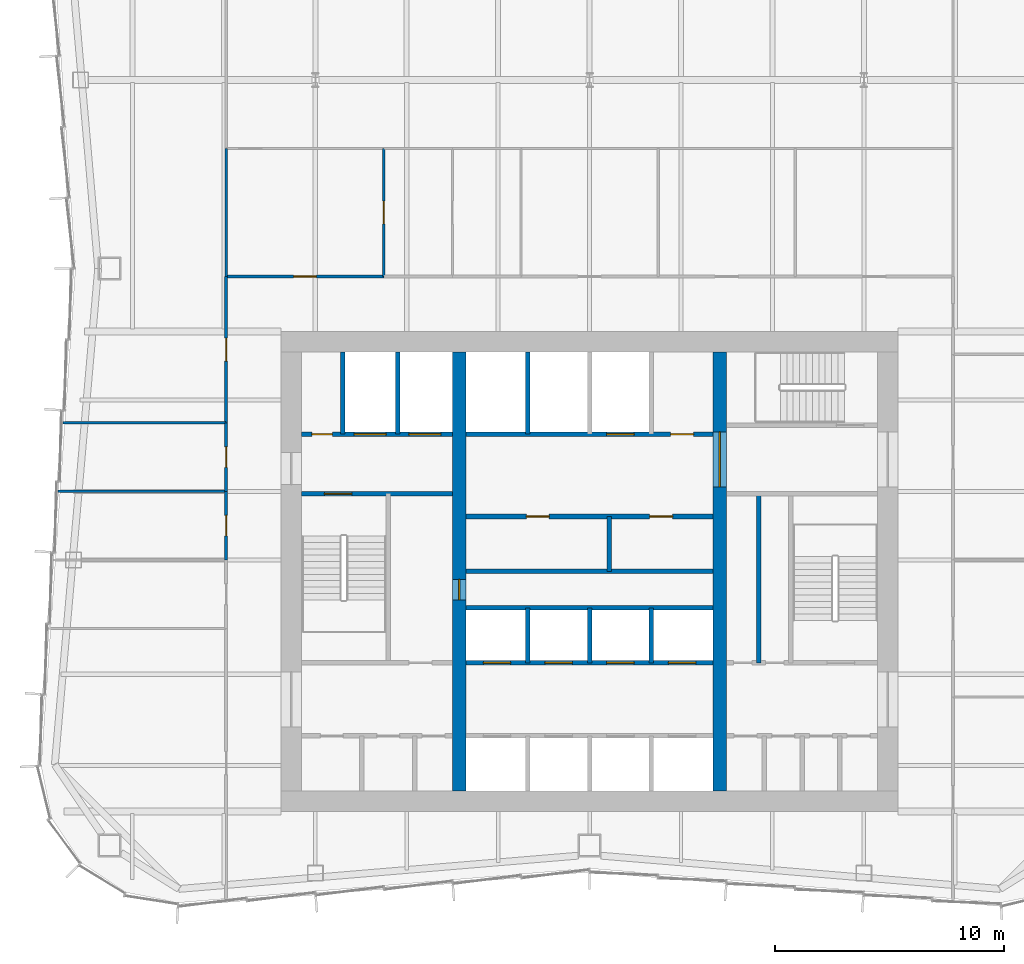
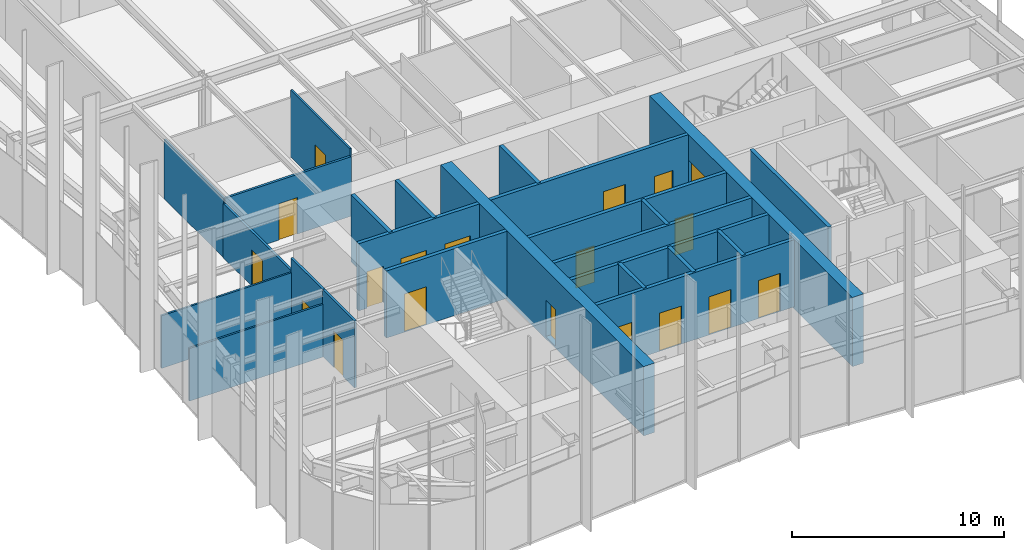
# One storey, part 10 of 13: 25 walls, 19 doors, 19 openings.
"""IFC4 building model written with IfcOpenShell, lengths in metres."""

from ifc_helpers import new_model, si_unit, direction, frame, frame_2d, origin, place, context, subcontext, project, spatial, rectangle, extrude, material, layer, layer_set, type_object, element, fill, save


model = new_model("IFC4")

# Units and contexts
model_context = context("Model", 3, precision=1e-05, world=origin(), true_north=direction((0.0, 1.0)))
body_context = subcontext(model_context, "Body", "Model", "MODEL_VIEW")
ifc_project = project(units=[si_unit("LENGTHUNIT", "METRE"), si_unit("AREAUNIT", "SQUARE_METRE"), si_unit("VOLUMEUNIT", "CUBIC_METRE"), si_unit("PLANEANGLEUNIT", "RADIAN"), si_unit("MASSUNIT", "GRAM", prefix="KILO")], contexts=[model_context])

# Site, building, storey
site_placement = place(None, origin())
site = spatial("IfcSite", under=ifc_project, at=site_placement, CompositionType="ELEMENT")
building_placement = place(site_placement, origin())
building = spatial("IfcBuilding", under=site, at=building_placement, Name="Verdant Reach Tower", CompositionType="ELEMENT")
storey_placement = place(building_placement, frame((0.0, 0.0, 194.0)))
storey = spatial("IfcBuildingStorey", under=building, at=storey_placement, Name="L44", CompositionType="ELEMENT", Elevation=194.0)

# Wall
ifc_material_1 = material(Name="Gypsum board on steel studs", Category="steel")
ifc_layer_1 = layer(ifc_material_1, 0.199951171875)
ifc_layer_set_1 = layer_set([ifc_layer_1], Name="CO-WALL-ROOM")
wall_type_1 = type_object("IfcWallType", Name="CO-WALL-ROOM", PredefinedType="PARTITIONING", material=ifc_layer_set_1)
wall_1_placement = place(storey_placement, frame((-5.39990234375, 28.0, 0.0), z_axis=(0.0, 0.0, 1.0), x_axis=(1.0, 0.0, 0.0)))
element("IfcWall", 1, at=wall_1_placement, inside=storey, type_object=wall_type_1, Name="Core partition, L44", PredefinedType="PARTITIONING", context=body_context, shape_type="SweptSolid", body=[
    extrude(rectangle(XDim=10.7998046875, YDim=0.199951171875, at=frame_2d((5.39990234375, 0.0))), origin(), (0.0, 0.0, 1.0), 3.8701171875),
])

# Wall, openings, doors
wall_2_placement = place(storey_placement, frame((-5.39990234375, 30.39990234375, 0.0), z_axis=(0.0, 0.0, 1.0), x_axis=(1.0, 0.0, 0.0)))
wall_2 = element("IfcWall", 2, at=wall_2_placement, inside=storey, type_object=wall_type_1, Name="Core partition, L44", PredefinedType="PARTITIONING", context=body_context, shape_type="SweptSolid", body=[
    extrude(rectangle(XDim=10.7998046875, YDim=0.199951171875, at=frame_2d((5.39990234375, 0.0))), origin(), (0.0, 0.0, 1.0), 3.8701171875),
])
opening_1_placement = place(wall_2_placement, frame((2.632080078125, 0.0, 0.0)))
opening_1 = element("IfcOpeningElement", 3, at=opening_1_placement, cuts=wall_2, Name="Opening CD", PredefinedType="OPENING", context=body_context, shape_type="SweptSolid", body=[
    extrude(rectangle(XDim=1.0, YDim=2.10009765625, at=frame_2d((0.5, 1.050048828125))), frame((0.0, 0.10986328125, 0.0), z_axis=(0.0, -1.0, 0.0), x_axis=(1.0, 0.0, 0.0)), (0.0, 0.0, 1.0), 0.219970703125),
])
opening_2_placement = place(wall_2_placement, frame((8.031982421875, 0.0, 0.0)))
opening_2 = element("IfcOpeningElement", 4, at=opening_2_placement, cuts=wall_2, Name="Opening CD", PredefinedType="OPENING", context=body_context, shape_type="SweptSolid", body=[
    extrude(rectangle(XDim=1.0, YDim=2.10009765625, at=frame_2d((0.5, 1.050048828125))), frame((0.0, 0.10986328125, 0.0), z_axis=(0.0, -1.0, 0.0), x_axis=(1.0, 0.0, 0.0)), (0.0, 0.0, 1.0), 0.219970703125),
])
ifc_material_2 = material(Name="Timber", Category="wood")
door_type_1 = type_object("IfcDoorType", Name="CO-DOOR-ROOM", OperationType="NOTDEFINED", PredefinedType="DOOR", material=ifc_material_2)
door_1_placement = place(opening_1_placement, origin())
door_1 = element("IfcDoor", 5, at=door_1_placement, inside=storey, type_object=door_type_1, Name="Core room door, L44", OperationType="SINGLE_SWING_LEFT", OverallHeight=2.10009765625, OverallWidth=1.0, PredefinedType="DOOR", context=body_context, shape_type="SweptSolid", body=[
    extrude(rectangle(XDim=1.0, YDim=2.10009765625, at=frame_2d((0.5, 1.050048828125))), frame((0.0, 0.02490234375, 0.0), z_axis=(0.0, -1.0, 0.0), x_axis=(1.0, 0.0, 0.0)), (0.0, 0.0, 1.0), 0.050048828125),
])
fill(opening_1, door_1)
door_2_placement = place(opening_2_placement, origin())
door_2 = element("IfcDoor", 6, at=door_2_placement, inside=storey, type_object=door_type_1, Name="Core room door, L44", OperationType="SINGLE_SWING_RIGHT", OverallHeight=2.10009765625, OverallWidth=1.0, PredefinedType="DOOR", context=body_context, shape_type="SweptSolid", body=[
    extrude(rectangle(XDim=1.0, YDim=2.10009765625, at=frame_2d((0.5, 1.050048828125))), frame((0.0, 0.02490234375, 0.0), z_axis=(0.0, -1.0, 0.0), x_axis=(1.0, 0.0, 0.0)), (0.0, 0.0, 1.0), 0.050048828125),
])
fill(opening_2, door_2)

# Walls
wall_3_placement = place(storey_placement, frame((0.864013671875, 28.0, 0.0), z_axis=(0.0, 0.0, 1.0), x_axis=(0.0, 1.0, 0.0)))
element("IfcWall", 7, at=wall_3_placement, inside=storey, type_object=wall_type_1, Name="Core partition, L44", PredefinedType="PARTITIONING", context=body_context, shape_type="SweptSolid", body=[
    extrude(rectangle(XDim=2.39990234375, YDim=0.199951171875, at=frame_2d((1.199951171875, 0.0))), origin(), (0.0, 0.0, 1.0), 3.8701171875),
])
wall_4_placement = place(storey_placement, frame((7.39990234375, 24.0, 0.0), z_axis=(0.0, 0.0, 1.0), x_axis=(0.0, 1.0, 0.0)))
element("IfcWall", 8, at=wall_4_placement, inside=storey, type_object=wall_type_1, Name="Core partition, L44", PredefinedType="PARTITIONING", context=body_context, shape_type="SweptSolid", body=[
    extrude(rectangle(XDim=7.39990234375, YDim=0.199951171875, at=frame_2d((3.699951171875, 0.0))), origin(), (0.0, 0.0, 1.0), 3.8701171875),
])

# Wall, openings, doors
ifc_material_3 = material(Name="Concrete C40/50", Category="concrete")
ifc_layer_2 = layer(ifc_material_3, 0.199951171875)
ifc_layer_set_2 = layer_set([ifc_layer_2], Name="CO-WALL-SHAFT")
wall_type_2 = type_object("IfcWallType", Name="CO-WALL-SHAFT", PredefinedType="PARTITIONING", material=ifc_layer_set_2)
wall_5_placement = place(storey_placement, frame((-5.39990234375, 24.0, 0.0), z_axis=(0.0, 0.0, 1.0), x_axis=(1.0, 0.0, 0.0)))
wall_5 = element("IfcWall", 9, at=wall_5_placement, inside=storey, type_object=wall_type_2, Name="Lift shaft wall, L44", PredefinedType="PARTITIONING", context=body_context, shape_type="SweptSolid", body=[
    extrude(rectangle(XDim=10.7998046875, YDim=0.199951171875, at=frame_2d((5.39990234375, 0.0))), origin(), (0.0, 0.0, 1.0), 3.8701171875),
])
opening_3_placement = place(wall_5_placement, frame((0.75, 0.0, 0.0)))
opening_3 = element("IfcOpeningElement", 10, at=opening_3_placement, cuts=wall_5, Name="Opening LD-A5", PredefinedType="OPENING", context=body_context, shape_type="SweptSolid", body=[
    extrude(rectangle(XDim=1.199951171875, YDim=2.199951171875, at=frame_2d((0.60009765625, 1.10009765625))), frame((0.0, 0.10986328125, 0.0), z_axis=(0.0, -1.0, 0.0), x_axis=(1.0, 0.0, 0.0)), (0.0, 0.0, 1.0), 0.219970703125),
])
opening_4_placement = place(wall_5_placement, frame((3.449951171875, 0.0, 0.0)))
opening_4 = element("IfcOpeningElement", 11, at=opening_4_placement, cuts=wall_5, Name="Opening LD-A6", PredefinedType="OPENING", context=body_context, shape_type="SweptSolid", body=[
    extrude(rectangle(XDim=1.199951171875, YDim=2.199951171875, at=frame_2d((0.60009765625, 1.10009765625))), frame((0.0, 0.10986328125, 0.0), z_axis=(0.0, -1.0, 0.0), x_axis=(1.0, 0.0, 0.0)), (0.0, 0.0, 1.0), 0.219970703125),
])
opening_5_placement = place(wall_5_placement, frame((6.14990234375, 0.0, 0.0)))
opening_5 = element("IfcOpeningElement", 12, at=opening_5_placement, cuts=wall_5, Name="Opening LD-A7", PredefinedType="OPENING", context=body_context, shape_type="SweptSolid", body=[
    extrude(rectangle(XDim=1.199951171875, YDim=2.199951171875, at=frame_2d((0.60009765625, 1.10009765625))), frame((0.0, 0.10986328125, 0.0), z_axis=(0.0, -1.0, 0.0), x_axis=(1.0, 0.0, 0.0)), (0.0, 0.0, 1.0), 0.219970703125),
])
opening_6_placement = place(wall_5_placement, frame((8.85009765625, 0.0, 0.0)))
opening_6 = element("IfcOpeningElement", 13, at=opening_6_placement, cuts=wall_5, Name="Opening LD-A8", PredefinedType="OPENING", context=body_context, shape_type="SweptSolid", body=[
    extrude(rectangle(XDim=1.199951171875, YDim=2.199951171875, at=frame_2d((0.60009765625, 1.10009765625))), frame((0.0, 0.10986328125, 0.0), z_axis=(0.0, -1.0, 0.0), x_axis=(1.0, 0.0, 0.0)), (0.0, 0.0, 1.0), 0.219970703125),
])
ifc_material_4 = material(Name="Stainless steel", Category="steel")
door_type_2 = type_object("IfcDoorType", Name="CO-DOOR-LANDING", OperationType="SLIDING_TO_LEFT", PredefinedType="DOOR", material=ifc_material_4)
door_3_placement = place(opening_3_placement, origin())
door_3 = element("IfcDoor", 14, at=door_3_placement, inside=storey, type_object=door_type_2, Name="Landing door A5, L44", OperationType="SLIDING_TO_LEFT", OverallHeight=2.199951171875, OverallWidth=1.199951171875, PredefinedType="DOOR", context=body_context, shape_type="SweptSolid", body=[
    extrude(rectangle(XDim=1.199951171875, YDim=2.199951171875, at=frame_2d((0.60009765625, 1.10009765625))), frame((0.0, 0.02490234375, 0.0), z_axis=(0.0, -1.0, 0.0), x_axis=(1.0, 0.0, 0.0)), (0.0, 0.0, 1.0), 0.050048828125),
])
fill(opening_3, door_3)
door_4_placement = place(opening_4_placement, origin())
door_4 = element("IfcDoor", 15, at=door_4_placement, inside=storey, type_object=door_type_2, Name="Landing door A6, L44", OperationType="SLIDING_TO_LEFT", OverallHeight=2.199951171875, OverallWidth=1.199951171875, PredefinedType="DOOR", context=body_context, shape_type="SweptSolid", body=[
    extrude(rectangle(XDim=1.199951171875, YDim=2.199951171875, at=frame_2d((0.60009765625, 1.10009765625))), frame((0.0, 0.02490234375, 0.0), z_axis=(0.0, -1.0, 0.0), x_axis=(1.0, 0.0, 0.0)), (0.0, 0.0, 1.0), 0.050048828125),
])
fill(opening_4, door_4)
door_5_placement = place(opening_5_placement, origin())
door_5 = element("IfcDoor", 16, at=door_5_placement, inside=storey, type_object=door_type_2, Name="Landing door A7, L44", OperationType="SLIDING_TO_LEFT", OverallHeight=2.199951171875, OverallWidth=1.199951171875, PredefinedType="DOOR", context=body_context, shape_type="SweptSolid", body=[
    extrude(rectangle(XDim=1.199951171875, YDim=2.199951171875, at=frame_2d((0.60009765625, 1.10009765625))), frame((0.0, 0.02490234375, 0.0), z_axis=(0.0, -1.0, 0.0), x_axis=(1.0, 0.0, 0.0)), (0.0, 0.0, 1.0), 0.050048828125),
])
fill(opening_5, door_5)
door_6_placement = place(opening_6_placement, origin())
door_6 = element("IfcDoor", 17, at=door_6_placement, inside=storey, type_object=door_type_2, Name="Landing door A8, L44", OperationType="SLIDING_TO_LEFT", OverallHeight=2.199951171875, OverallWidth=1.199951171875, PredefinedType="DOOR", context=body_context, shape_type="SweptSolid", body=[
    extrude(rectangle(XDim=1.199951171875, YDim=2.199951171875, at=frame_2d((0.60009765625, 1.10009765625))), frame((0.0, 0.02490234375, 0.0), z_axis=(0.0, -1.0, 0.0), x_axis=(1.0, 0.0, 0.0)), (0.0, 0.0, 1.0), 0.050048828125),
])
fill(opening_6, door_6)

# Wall
wall_6_placement = place(storey_placement, frame((-5.39990234375, 26.39990234375, 0.0), z_axis=(0.0, 0.0, 1.0), x_axis=(1.0, 0.0, 0.0)))
element("IfcWall", 18, at=wall_6_placement, inside=storey, type_object=wall_type_2, Name="Lift shaft wall, L44", PredefinedType="PARTITIONING", context=body_context, shape_type="SweptSolid", body=[
    extrude(rectangle(XDim=10.7998046875, YDim=0.199951171875, at=frame_2d((5.39990234375, 0.0))), origin(), (0.0, 0.0, 1.0), 3.8701171875),
])

# Wall, openings, doors
wall_7_placement = place(storey_placement, frame((-12.60009765625, 34.0, 0.0), z_axis=(0.0, 0.0, 1.0), x_axis=(1.0, 0.0, 0.0)))
wall_7 = element("IfcWall", 19, at=wall_7_placement, inside=storey, type_object=wall_type_2, Name="Lift shaft wall, L44", PredefinedType="PARTITIONING", context=body_context, shape_type="SweptSolid", body=[
    extrude(rectangle(XDim=6.60009765625, YDim=0.199951171875, at=frame_2d((3.300048828125, 0.0))), origin(), (0.0, 0.0, 1.0), 3.8701171875),
])
opening_7_placement = place(wall_7_placement, frame((4.699951171875, 0.0, 0.0)))
opening_7 = element("IfcOpeningElement", 20, at=opening_7_placement, cuts=wall_7, Name="Opening LD-F1", PredefinedType="OPENING", context=body_context, shape_type="SweptSolid", body=[
    extrude(rectangle(XDim=1.39990234375, YDim=2.199951171875, at=frame_2d((0.699951171875, 1.10009765625))), frame((0.0, 0.10986328125, 0.0), z_axis=(0.0, -1.0, 0.0), x_axis=(1.0, 0.0, 0.0)), (0.0, 0.0, 1.0), 0.219970703125),
])
opening_8_placement = place(wall_7_placement, frame((2.300048828125, 0.0, 0.0)))
opening_8 = element("IfcOpeningElement", 21, at=opening_8_placement, cuts=wall_7, Name="Opening LD-F2", PredefinedType="OPENING", context=body_context, shape_type="SweptSolid", body=[
    extrude(rectangle(XDim=1.39990234375, YDim=2.199951171875, at=frame_2d((0.699951171875, 1.10009765625))), frame((0.0, 0.10986328125, 0.0), z_axis=(0.0, -1.0, 0.0), x_axis=(1.0, 0.0, 0.0)), (0.0, 0.0, 1.0), 0.219970703125),
])
opening_9_placement = place(wall_7_placement, frame((0.449951171875, 0.0, 0.0)))
opening_9 = element("IfcOpeningElement", 22, at=opening_9_placement, cuts=wall_7, Name="Opening RD", PredefinedType="OPENING", context=body_context, shape_type="SweptSolid", body=[
    extrude(rectangle(XDim=0.89990234375, YDim=2.10009765625, at=frame_2d((0.449951171875, 1.050048828125))), frame((0.0, 0.10986328125, 0.0), z_axis=(0.0, -1.0, 0.0), x_axis=(1.0, 0.0, 0.0)), (0.0, 0.0, 1.0), 0.219970703125),
])
door_type_3 = type_object("IfcDoorType", Name="CO-DOOR-LANDING-FF", OperationType="SLIDING_TO_LEFT", PredefinedType="DOOR", material=ifc_material_4)
door_7_placement = place(opening_7_placement, origin())
door_7 = element("IfcDoor", 23, at=door_7_placement, inside=storey, type_object=door_type_3, Name="Landing door F1, L44", OperationType="SLIDING_TO_LEFT", OverallHeight=2.199951171875, OverallWidth=1.39990234375, PredefinedType="DOOR", context=body_context, shape_type="SweptSolid", body=[
    extrude(rectangle(XDim=1.39990234375, YDim=2.199951171875, at=frame_2d((0.699951171875, 1.10009765625))), frame((0.0, 0.02490234375, 0.0), z_axis=(0.0, -1.0, 0.0), x_axis=(1.0, 0.0, 0.0)), (0.0, 0.0, 1.0), 0.050048828125),
])
fill(opening_7, door_7)
door_8_placement = place(opening_8_placement, origin())
door_8 = element("IfcDoor", 24, at=door_8_placement, inside=storey, type_object=door_type_3, Name="Landing door F2, L44", OperationType="SLIDING_TO_LEFT", OverallHeight=2.199951171875, OverallWidth=1.39990234375, PredefinedType="DOOR", context=body_context, shape_type="SweptSolid", body=[
    extrude(rectangle(XDim=1.39990234375, YDim=2.199951171875, at=frame_2d((0.699951171875, 1.10009765625))), frame((0.0, 0.02490234375, 0.0), z_axis=(0.0, -1.0, 0.0), x_axis=(1.0, 0.0, 0.0)), (0.0, 0.0, 1.0), 0.050048828125),
])
fill(opening_8, door_8)
ifc_material_5 = material(Name="Steel", Category="steel")
door_type_4 = type_object("IfcDoorType", Name="CO-DOOR-RISER", OperationType="NOTDEFINED", PredefinedType="DOOR", material=ifc_material_5)
door_9_placement = place(opening_9_placement, origin())
door_9 = element("IfcDoor", 25, at=door_9_placement, inside=storey, type_object=door_type_4, Name="Core room door, L44", OperationType="SINGLE_SWING_RIGHT", OverallHeight=2.10009765625, OverallWidth=0.89990234375, PredefinedType="DOOR", context=body_context, shape_type="SweptSolid", body=[
    extrude(rectangle(XDim=0.89990234375, YDim=2.10009765625, at=frame_2d((0.449951171875, 1.050048828125))), frame((0.0, 0.02490234375, 0.0), z_axis=(0.0, -1.0, 0.0), x_axis=(1.0, 0.0, 0.0)), (0.0, 0.0, 1.0), 0.050048828125),
])
fill(opening_9, door_9)

wall_8_placement = place(storey_placement, frame((-5.39990234375, 34.0, 0.0), z_axis=(0.0, 0.0, 1.0), x_axis=(1.0, 0.0, 0.0)))
wall_8 = element("IfcWall", 26, at=wall_8_placement, inside=storey, type_object=wall_type_2, Name="Lift shaft wall, L44", PredefinedType="PARTITIONING", context=body_context, shape_type="SweptSolid", body=[
    extrude(rectangle(XDim=10.7998046875, YDim=0.199951171875, at=frame_2d((5.39990234375, 0.0))), origin(), (0.0, 0.0, 1.0), 3.8701171875),
])
opening_10_placement = place(wall_8_placement, frame((6.14990234375, 0.0, 0.0)))
opening_10 = element("IfcOpeningElement", 27, at=opening_10_placement, cuts=wall_8, Name="Opening LD-SL1", PredefinedType="OPENING", context=body_context, shape_type="SweptSolid", body=[
    extrude(rectangle(XDim=1.199951171875, YDim=2.199951171875, at=frame_2d((0.60009765625, 1.10009765625))), frame((0.0, 0.10986328125, 0.0), z_axis=(0.0, -1.0, 0.0), x_axis=(1.0, 0.0, 0.0)), (0.0, 0.0, 1.0), 0.219970703125),
])
opening_11_placement = place(wall_8_placement, frame((8.949951171875, 0.0, 0.0)))
opening_11 = element("IfcOpeningElement", 28, at=opening_11_placement, cuts=wall_8, Name="Opening CD", PredefinedType="OPENING", context=body_context, shape_type="SweptSolid", body=[
    extrude(rectangle(XDim=1.0, YDim=2.10009765625, at=frame_2d((0.5, 1.050048828125))), frame((0.0, 0.10986328125, 0.0), z_axis=(0.0, -1.0, 0.0), x_axis=(1.0, 0.0, 0.0)), (0.0, 0.0, 1.0), 0.219970703125),
])
door_10_placement = place(opening_10_placement, origin())
door_10 = element("IfcDoor", 29, at=door_10_placement, inside=storey, type_object=door_type_2, Name="Landing door SL1, L44", OperationType="SLIDING_TO_LEFT", OverallHeight=2.199951171875, OverallWidth=1.199951171875, PredefinedType="DOOR", context=body_context, shape_type="SweptSolid", body=[
    extrude(rectangle(XDim=1.199951171875, YDim=2.199951171875, at=frame_2d((0.60009765625, 1.10009765625))), frame((0.0, 0.02490234375, 0.0), z_axis=(0.0, -1.0, 0.0), x_axis=(1.0, 0.0, 0.0)), (0.0, 0.0, 1.0), 0.050048828125),
])
fill(opening_10, door_10)
door_11_placement = place(opening_11_placement, origin())
door_11 = element("IfcDoor", 30, at=door_11_placement, inside=storey, type_object=door_type_1, Name="Core room door, L44", OperationType="SINGLE_SWING_LEFT", OverallHeight=2.10009765625, OverallWidth=1.0, PredefinedType="DOOR", context=body_context, shape_type="SweptSolid", body=[
    extrude(rectangle(XDim=1.0, YDim=2.10009765625, at=frame_2d((0.5, 1.050048828125))), frame((0.0, 0.02490234375, 0.0), z_axis=(0.0, -1.0, 0.0), x_axis=(1.0, 0.0, 0.0)), (0.0, 0.0, 1.0), 0.050048828125),
])
fill(opening_11, door_11)

# Walls
for number, where, z_axis, x_axis, name in (
    (31, (-10.800048828125, 34.0, 0.0), (0.0, 0.0, 1.0), (0.0, 1.0, 0.0), "Lift shaft wall, L44"),
    (32, (-8.39990234375, 34.0, 0.0), (0.0, 0.0, 1.0), (0.0, 1.0, 0.0), "Lift shaft wall, L44"),
):
    element("IfcWall", number, at=place(storey_placement, frame(where, z_axis=z_axis, x_axis=x_axis)), inside=storey, type_object=wall_type_2, Name=name, PredefinedType="PARTITIONING", context=body_context, shape_type="SweptSolid", body=[
        extrude(rectangle(XDim=3.60009765625, YDim=0.199951171875, at=frame_2d((1.800048828125, 0.0))), origin(), (0.0, 0.0, 1.0), 3.8701171875),
    ])
wall_9_placement = place(storey_placement, frame((-2.699951171875, 24.0, 0.0), z_axis=(0.0, 0.0, 1.0), x_axis=(0.0, 1.0, 0.0)))
element("IfcWall", 33, at=wall_9_placement, inside=storey, type_object=wall_type_2, Name="Lift shaft wall, L44", PredefinedType="PARTITIONING", context=body_context, shape_type="SweptSolid", body=[
    extrude(rectangle(XDim=2.39990234375, YDim=0.199951171875, at=frame_2d((1.199951171875, 0.0))), origin(), (0.0, 0.0, 1.0), 3.8701171875),
])
wall_10_placement = place(storey_placement, frame((-2.699951171875, 34.0, 0.0), z_axis=(0.0, 0.0, 1.0), x_axis=(0.0, 1.0, 0.0)))
element("IfcWall", 34, at=wall_10_placement, inside=storey, type_object=wall_type_2, Name="Lift shaft wall, L44", PredefinedType="PARTITIONING", context=body_context, shape_type="SweptSolid", body=[
    extrude(rectangle(XDim=3.60009765625, YDim=0.199951171875, at=frame_2d((1.800048828125, 0.0))), origin(), (0.0, 0.0, 1.0), 3.8701171875),
])
for number, where, z_axis, x_axis, name in (
    (35, (0.0, 24.0, 0.0), (0.0, 0.0, 1.0), (0.0, 1.0, 0.0), "Lift shaft wall, L44"),
    (36, (2.699951171875, 24.0, 0.0), (0.0, 0.0, 1.0), (0.0, 1.0, 0.0), "Lift shaft wall, L44"),
):
    element("IfcWall", number, at=place(storey_placement, frame(where, z_axis=z_axis, x_axis=x_axis)), inside=storey, type_object=wall_type_2, Name=name, PredefinedType="PARTITIONING", context=body_context, shape_type="SweptSolid", body=[
        extrude(rectangle(XDim=2.39990234375, YDim=0.199951171875, at=frame_2d((1.199951171875, 0.0))), origin(), (0.0, 0.0, 1.0), 3.8701171875),
    ])

# Wall, opening, door
ifc_layer_3 = layer(ifc_material_3, 0.199951171875)
ifc_layer_set_3 = layer_set([ifc_layer_3], Name="CO-WALL-STAIR")
wall_type_3 = type_object("IfcWallType", Name="CO-WALL-STAIR", PredefinedType="PARTITIONING", material=ifc_layer_set_3)
wall_11_placement = place(storey_placement, frame((-12.60009765625, 31.39990234375, 0.0), z_axis=(0.0, 0.0, 1.0), x_axis=(1.0, 0.0, 0.0)))
wall_11 = element("IfcWall", 37, at=wall_11_placement, inside=storey, type_object=wall_type_3, Name="Stair enclosure wall, L44", PredefinedType="PARTITIONING", context=body_context, shape_type="SweptSolid", body=[
    extrude(rectangle(XDim=6.60009765625, YDim=0.199951171875, at=frame_2d((3.300048828125, 0.0))), origin(), (0.0, 0.0, 1.0), 3.8701171875),
])
opening_12_placement = place(wall_11_placement, frame((1.0, 0.0, 0.0)))
opening_12 = element("IfcOpeningElement", 38, at=opening_12_placement, cuts=wall_11, Name="Opening SD", PredefinedType="OPENING", context=body_context, shape_type="SweptSolid", body=[
    extrude(rectangle(XDim=1.199951171875, YDim=2.199951171875, at=frame_2d((0.60009765625, 1.10009765625))), frame((0.0, 0.10986328125, 0.0), z_axis=(0.0, -1.0, 0.0), x_axis=(1.0, 0.0, 0.0)), (0.0, 0.0, 1.0), 0.219970703125),
])
door_type_5 = type_object("IfcDoorType", Name="CO-DOOR-STAIR", OperationType="NOTDEFINED", PredefinedType="DOOR", material=ifc_material_5)
door_12_placement = place(opening_12_placement, origin())
door_12 = element("IfcDoor", 39, at=door_12_placement, inside=storey, type_object=door_type_5, Name="Stair door, L44", OperationType="SINGLE_SWING_RIGHT", OverallHeight=2.199951171875, OverallWidth=1.199951171875, PredefinedType="DOOR", context=body_context, shape_type="SweptSolid", body=[
    extrude(rectangle(XDim=1.199951171875, YDim=2.199951171875, at=frame_2d((0.60009765625, 1.10009765625))), frame((0.0, 0.02490234375, 0.0), z_axis=(0.0, -1.0, 0.0), x_axis=(1.0, 0.0, 0.0)), (0.0, 0.0, 1.0), 0.050048828125),
])
fill(opening_12, door_12)

ifc_layer_4 = layer(ifc_material_1, 0.10009765625)
ifc_layer_set_4 = layer_set([ifc_layer_4], Name="FL-W1 Partition 100")
wall_type_4 = type_object("IfcWallType", Name="FL-W1 Partition 100", PredefinedType="PARTITIONING", material=ifc_layer_set_4)
wall_12_placement = place(storey_placement, frame((-9.0, 46.5, 0.0), z_axis=(0.0, 0.0, 1.0), x_axis=(0.0, -1.0, 0.0)))
wall_12 = element("IfcWall", 40, at=wall_12_placement, inside=storey, type_object=wall_type_4, Name="Partition 44.16", PredefinedType="PARTITIONING", context=body_context, shape_type="SweptSolid", body=[
    extrude(rectangle(XDim=5.60009765625, YDim=0.10009765625, at=frame_2d((2.800048828125, 0.0))), origin(), (0.0, 0.0, 1.0), 3.8701171875),
])
opening_13_placement = place(wall_12_placement, frame((2.300048828125, 0.0, 0.0)))
opening_13 = element("IfcOpeningElement", 41, at=opening_13_placement, cuts=wall_12, Name="Opening D3", PredefinedType="OPENING", context=body_context, shape_type="SweptSolid", body=[
    extrude(rectangle(XDim=1.0, YDim=2.10009765625, at=frame_2d((0.5, 1.050048828125))), frame((0.0, 0.06005859375, 0.0), z_axis=(0.0, -1.0, 0.0), x_axis=(1.0, 0.0, 0.0)), (0.0, 0.0, 1.0), 0.1201171875),
])
ifc_material_6 = material(Name="Painted timber door leaf", Category="wood")
door_type_6 = type_object("IfcDoorType", Name="FL-D3 Door 1000x2100", OperationType="NOTDEFINED", PredefinedType="DOOR", material=ifc_material_6)
door_13_placement = place(opening_13_placement, origin())
door_13 = element("IfcDoor", 42, at=door_13_placement, inside=storey, type_object=door_type_6, Name="Door 44-014", OperationType="SINGLE_SWING_RIGHT", OverallHeight=2.10009765625, OverallWidth=1.0, PredefinedType="DOOR", context=body_context, shape_type="SweptSolid", body=[
    extrude(rectangle(XDim=1.0, YDim=2.10009765625, at=frame_2d((0.5, 1.050048828125))), frame((0.0, 0.02490234375, 0.0), z_axis=(0.0, -1.0, 0.0), x_axis=(1.0, 0.0, 0.0)), (0.0, 0.0, 1.0), 0.050048828125),
])
fill(opening_13, door_13)

# Walls
wall_13_placement = place(storey_placement, frame((-15.89990234375, 46.50390625, 0.0), z_axis=(0.0, 0.0, 1.0), x_axis=(0.0, -1.0, 0.0)))
element("IfcWall", 43, at=wall_13_placement, inside=storey, type_object=wall_type_4, Name="Partition 44.18", PredefinedType="PARTITIONING", context=body_context, shape_type="SweptSolid", body=[
    extrude(rectangle(XDim=5.60791015625, YDim=0.10009765625, at=frame_2d((2.803955078125, 0.0))), origin(), (0.0, 0.0, 1.0), 3.43994140625),
])
wall_14_placement = place(storey_placement, frame((-15.89990234375, 31.5, 0.0), z_axis=(0.0, 0.0, 1.0), x_axis=(-1.0, 0.0, 0.0)))
element("IfcWall", 44, at=wall_14_placement, inside=storey, type_object=wall_type_4, Name="Partition 44.42", PredefinedType="PARTITIONING", context=body_context, shape_type="SweptSolid", body=[
    extrude(rectangle(XDim=7.3525390625, YDim=0.10009765625, at=frame_2d((3.67626953125, 0.0))), origin(), (0.0, 0.0, 1.0), 3.0400390625),
])
wall_15_placement = place(storey_placement, frame((-15.89990234375, 34.5, 0.0), z_axis=(0.0, 0.0, 1.0), x_axis=(-1.0, 0.0, 0.0)))
element("IfcWall", 45, at=wall_15_placement, inside=storey, type_object=wall_type_4, Name="Partition 44.43", PredefinedType="PARTITIONING", context=body_context, shape_type="SweptSolid", body=[
    extrude(rectangle(XDim=7.1455078125, YDim=0.10009765625, at=frame_2d((3.57275390625, 0.0))), origin(), (0.0, 0.0, 1.0), 3.0400390625),
])

# Wall, opening, door
ifc_material_7 = material(Name="Gypsum board on steel studs, fire rated", Category="steel")
ifc_layer_5 = layer(ifc_material_7, 0.125)
ifc_layer_set_5 = layer_set([ifc_layer_5], Name="FL-W2 Corridor wall 125")
wall_type_5 = type_object("IfcWallType", Name="FL-W2 Corridor wall 125", PredefinedType="PARTITIONING", material=ifc_layer_set_5)
wall_16_placement = place(storey_placement, frame((-15.89990234375, 40.89990234375, 0.0), z_axis=(0.0, 0.0, 1.0), x_axis=(1.0, 0.0, 0.0)))
wall_16 = element("IfcWall", 46, at=wall_16_placement, inside=storey, type_object=wall_type_5, Name="Partition 44.01", PredefinedType="PARTITIONING", context=body_context, shape_type="SweptSolid", body=[
    extrude(rectangle(XDim=6.89990234375, YDim=0.125, at=frame_2d((3.449951171875, 0.0))), origin(), (0.0, 0.0, 1.0), 3.43994140625),
])
opening_14_placement = place(wall_16_placement, frame((2.949951171875, 0.0, 0.0)))
opening_14 = element("IfcOpeningElement", 47, at=opening_14_placement, cuts=wall_16, Name="Opening D2", PredefinedType="OPENING", context=body_context, shape_type="SweptSolid", body=[
    extrude(rectangle(XDim=1.0, YDim=2.10009765625, at=frame_2d((0.5, 1.050048828125))), frame((0.0, 0.072509765625, 0.0), z_axis=(0.0, -1.0, 0.0), x_axis=(1.0, 0.0, 0.0)), (0.0, 0.0, 1.0), 0.14501953125),
])
ifc_material_8 = material(Name="Timber door leaf, fire rated", Category="wood")
door_type_7 = type_object("IfcDoorType", Name="FL-D2 Entrance door 1000x2100 FD30", OperationType="NOTDEFINED", PredefinedType="DOOR", material=ifc_material_8)
door_14_placement = place(opening_14_placement, origin())
door_14 = element("IfcDoor", 48, at=door_14_placement, inside=storey, type_object=door_type_7, Name="Door 44-001", OperationType="SINGLE_SWING_LEFT", OverallHeight=2.10009765625, OverallWidth=1.0, PredefinedType="DOOR", context=body_context, shape_type="SweptSolid", body=[
    extrude(rectangle(XDim=1.0, YDim=2.10009765625, at=frame_2d((0.5, 1.050048828125))), frame((0.0, 0.02490234375, 0.0), z_axis=(0.0, -1.0, 0.0), x_axis=(1.0, 0.0, 0.0)), (0.0, 0.0, 1.0), 0.050048828125),
])
fill(opening_14, door_14)

wall_17_placement = place(storey_placement, frame((-15.89990234375, 28.5, 0.0), z_axis=(0.0, 0.0, 1.0), x_axis=(0.0, 1.0, 0.0)))
wall_17 = element("IfcWall", 49, at=wall_17_placement, inside=storey, type_object=wall_type_5, Name="Partition 44.09", PredefinedType="PARTITIONING", context=body_context, shape_type="SweptSolid", body=[
    extrude(rectangle(XDim=3.0, YDim=0.125, at=frame_2d((1.5, 0.0))), origin(), (0.0, 0.0, 1.0), 3.8701171875),
])
opening_15_placement = place(wall_17_placement, frame((1.050048828125, 0.0, 0.0)))
opening_15 = element("IfcOpeningElement", 50, at=opening_15_placement, cuts=wall_17, Name="Opening D1", PredefinedType="OPENING", context=body_context, shape_type="SweptSolid", body=[
    extrude(rectangle(XDim=0.89990234375, YDim=2.10009765625, at=frame_2d((0.449951171875, 1.050048828125))), frame((0.0, 0.072509765625, 0.0), z_axis=(0.0, -1.0, 0.0), x_axis=(1.0, 0.0, 0.0)), (0.0, 0.0, 1.0), 0.14501953125),
])
door_type_8 = type_object("IfcDoorType", Name="FL-D1 Door 900x2100", OperationType="NOTDEFINED", PredefinedType="DOOR", material=ifc_material_6)
door_15_placement = place(opening_15_placement, origin())
door_15 = element("IfcDoor", 51, at=door_15_placement, inside=storey, type_object=door_type_8, Name="Door 44-007", OperationType="SINGLE_SWING_LEFT", OverallHeight=2.10009765625, OverallWidth=0.89990234375, PredefinedType="DOOR", context=body_context, shape_type="SweptSolid", body=[
    extrude(rectangle(XDim=0.89990234375, YDim=2.10009765625, at=frame_2d((0.449951171875, 1.050048828125))), frame((0.0, 0.02490234375, 0.0), z_axis=(0.0, -1.0, 0.0), x_axis=(1.0, 0.0, 0.0)), (0.0, 0.0, 1.0), 0.050048828125),
])
fill(opening_15, door_15)

wall_18_placement = place(storey_placement, frame((-15.89990234375, 31.5, 0.0), z_axis=(0.0, 0.0, 1.0), x_axis=(0.0, 1.0, 0.0)))
wall_18 = element("IfcWall", 52, at=wall_18_placement, inside=storey, type_object=wall_type_5, Name="Partition 44.10", PredefinedType="PARTITIONING", context=body_context, shape_type="SweptSolid", body=[
    extrude(rectangle(XDim=3.0, YDim=0.125, at=frame_2d((1.5, 0.0))), origin(), (0.0, 0.0, 1.0), 3.8701171875),
])
opening_16_placement = place(wall_18_placement, frame((1.050048828125, 0.0, 0.0)))
opening_16 = element("IfcOpeningElement", 53, at=opening_16_placement, cuts=wall_18, Name="Opening D1", PredefinedType="OPENING", context=body_context, shape_type="SweptSolid", body=[
    extrude(rectangle(XDim=0.89990234375, YDim=2.10009765625, at=frame_2d((0.449951171875, 1.050048828125))), frame((0.0, 0.072509765625, 0.0), z_axis=(0.0, -1.0, 0.0), x_axis=(1.0, 0.0, 0.0)), (0.0, 0.0, 1.0), 0.14501953125),
])
door_16_placement = place(opening_16_placement, origin())
door_16 = element("IfcDoor", 54, at=door_16_placement, inside=storey, type_object=door_type_8, Name="Door 44-008", OperationType="SINGLE_SWING_RIGHT", OverallHeight=2.10009765625, OverallWidth=0.89990234375, PredefinedType="DOOR", context=body_context, shape_type="SweptSolid", body=[
    extrude(rectangle(XDim=0.89990234375, YDim=2.10009765625, at=frame_2d((0.449951171875, 1.050048828125))), frame((0.0, 0.02490234375, 0.0), z_axis=(0.0, -1.0, 0.0), x_axis=(1.0, 0.0, 0.0)), (0.0, 0.0, 1.0), 0.050048828125),
])
fill(opening_16, door_16)

wall_19_placement = place(storey_placement, frame((-15.89990234375, 34.5, 0.0), z_axis=(0.0, 0.0, 1.0), x_axis=(0.0, 1.0, 0.0)))
wall_19 = element("IfcWall", 55, at=wall_19_placement, inside=storey, type_object=wall_type_5, Name="Partition 44.11", PredefinedType="PARTITIONING", context=body_context, shape_type="SweptSolid", body=[
    extrude(rectangle(XDim=6.404052734375, YDim=0.125, at=frame_2d((3.2021484375, 0.0))), origin(), (0.0, 0.0, 1.0), 3.139892578125),
])
opening_17_placement = place(wall_19_placement, frame((2.701904296875, 0.0, 0.0)))
opening_17 = element("IfcOpeningElement", 56, at=opening_17_placement, cuts=wall_19, Name="Opening D2", PredefinedType="OPENING", context=body_context, shape_type="SweptSolid", body=[
    extrude(rectangle(XDim=1.0, YDim=2.10009765625, at=frame_2d((0.5, 1.050048828125))), frame((0.0, 0.072509765625, 0.0), z_axis=(0.0, -1.0, 0.0), x_axis=(1.0, 0.0, 0.0)), (0.0, 0.0, 1.0), 0.14501953125),
])
door_17_placement = place(opening_17_placement, origin())
door_17 = element("IfcDoor", 57, at=door_17_placement, inside=storey, type_object=door_type_7, Name="Door 44-009", OperationType="SINGLE_SWING_LEFT", OverallHeight=2.10009765625, OverallWidth=1.0, PredefinedType="DOOR", context=body_context, shape_type="SweptSolid", body=[
    extrude(rectangle(XDim=1.0, YDim=2.10009765625, at=frame_2d((0.5, 1.050048828125))), frame((0.0, 0.02490234375, 0.0), z_axis=(0.0, -1.0, 0.0), x_axis=(1.0, 0.0, 0.0)), (0.0, 0.0, 1.0), 0.050048828125),
])
fill(opening_17, door_17)

ifc_material_9 = material(Name="Concrete C70/85", Category="concrete")
ifc_layer_6 = layer(ifc_material_9, 0.60009765625)
ifc_layer_set_6 = layer_set([ifc_layer_6], Name="ST-CORE-WALL-600")
wall_type_6 = type_object("IfcWallType", Name="ST-CORE-WALL-600", PredefinedType="SHEAR", material=ifc_layer_set_6)
wall_20_placement = place(storey_placement, frame((-5.699951171875, 18.39990234375, -0.1298828125), z_axis=(0.0, 0.0, 1.0), x_axis=(0.0, 1.0, 0.0)))
wall_20 = element("IfcWall", 58, at=wall_20_placement, inside=storey, type_object=wall_type_6, Name="Core wall XW, L44", PredefinedType="SHEAR", context=body_context, shape_type="SweptSolid", body=[
    extrude(rectangle(XDim=19.2001953125, YDim=0.60009765625, at=frame_2d((9.60009765625, 0.0))), origin(), (0.0, 0.0, 1.0), 4.0),
])
opening_18_placement = place(wall_20_placement, frame((8.35009765625, 0.0, 0.1298828125)))
opening_18 = element("IfcOpeningElement", 59, at=opening_18_placement, cuts=wall_20, Name="Opening RD", PredefinedType="OPENING", context=body_context, shape_type="SweptSolid", body=[
    extrude(rectangle(XDim=0.89990234375, YDim=2.10009765625, at=frame_2d((0.449951171875, 1.050048828125))), frame((0.0, 0.31005859375, 0.0), z_axis=(0.0, -1.0, 0.0), x_axis=(1.0, 0.0, 0.0)), (0.0, 0.0, 1.0), 0.6201171875),
])
door_18_placement = place(opening_18_placement, origin())
door_18 = element("IfcDoor", 60, at=door_18_placement, inside=storey, type_object=door_type_4, Name="Riser door, L44", OperationType="SINGLE_SWING_RIGHT", OverallHeight=2.10009765625, OverallWidth=0.89990234375, PredefinedType="DOOR", context=body_context, shape_type="SweptSolid", body=[
    extrude(rectangle(XDim=0.89990234375, YDim=2.10009765625, at=frame_2d((0.449951171875, 1.050048828125))), frame((0.0, 0.02490234375, 0.0), z_axis=(0.0, -1.0, 0.0), x_axis=(1.0, 0.0, 0.0)), (0.0, 0.0, 1.0), 0.050048828125),
])
fill(opening_18, door_18)

wall_21_placement = place(storey_placement, frame((5.699951171875, 18.39990234375, -0.1298828125), z_axis=(0.0, 0.0, 1.0), x_axis=(0.0, 1.0, 0.0)))
wall_21 = element("IfcWall", 61, at=wall_21_placement, inside=storey, type_object=wall_type_6, Name="Core wall XE, L44", PredefinedType="SHEAR", context=body_context, shape_type="SweptSolid", body=[
    extrude(rectangle(XDim=19.2001953125, YDim=0.60009765625, at=frame_2d((9.60009765625, 0.0))), origin(), (0.0, 0.0, 1.0), 4.0),
])
opening_19_placement = place(wall_21_placement, frame((13.300048828125, 0.0, 0.1298828125)))
opening_19 = element("IfcOpeningElement", 62, at=opening_19_placement, cuts=wall_21, Name="Opening LB", PredefinedType="OPENING", context=body_context, shape_type="SweptSolid", body=[
    extrude(rectangle(XDim=2.39990234375, YDim=2.39990234375, at=frame_2d((1.199951171875, 1.199951171875))), frame((0.0, 0.31005859375, 0.0), z_axis=(0.0, -1.0, 0.0), x_axis=(1.0, 0.0, 0.0)), (0.0, 0.0, 1.0), 0.6201171875),
])
ifc_material_10 = material(Name="Glass and steel", Category="steel")
door_type_9 = type_object("IfcDoorType", Name="CO-DOOR-LOBBY", OperationType="DOUBLE_DOOR_SINGLE_SWING", PredefinedType="DOOR", material=ifc_material_10)
door_19_placement = place(opening_19_placement, origin())
door_19 = element("IfcDoor", 63, at=door_19_placement, inside=storey, type_object=door_type_9, Name="Core entrance door, L44", OperationType="DOUBLE_DOOR_SINGLE_SWING", OverallHeight=2.39990234375, OverallWidth=2.39990234375, PredefinedType="DOOR", context=body_context, shape_type="SweptSolid", body=[
    extrude(rectangle(XDim=2.39990234375, YDim=2.39990234375, at=frame_2d((1.199951171875, 1.199951171875))), frame((0.0, 0.02490234375, 0.0), z_axis=(0.0, -1.0, 0.0), x_axis=(1.0, 0.0, 0.0)), (0.0, 0.0, 1.0), 0.050048828125),
])
fill(opening_19, door_19)

save(model, "model.ifc")
